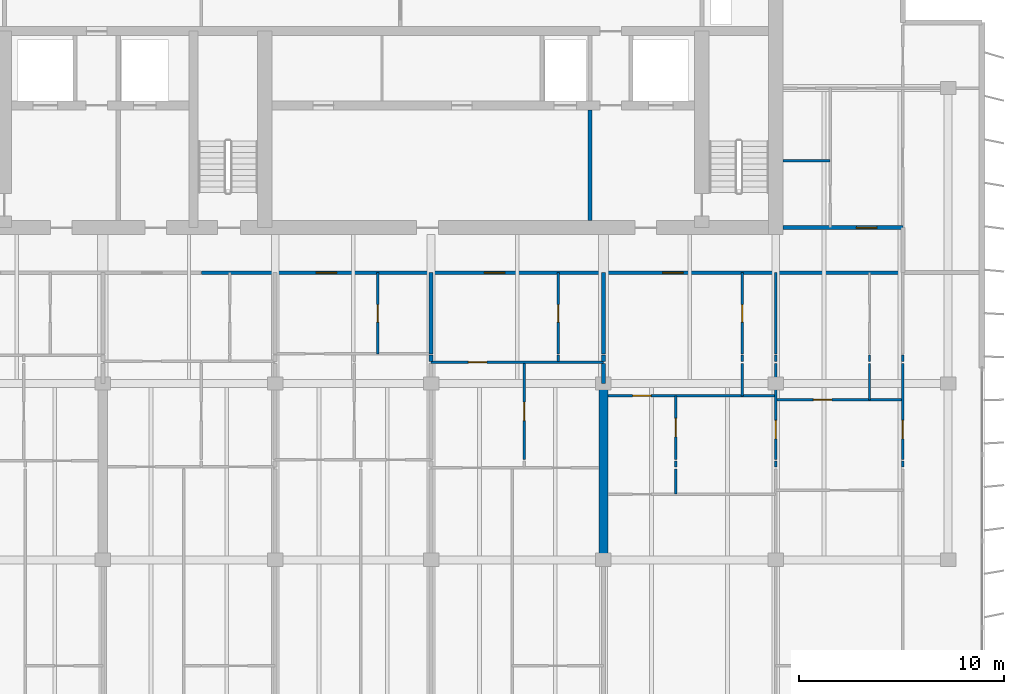
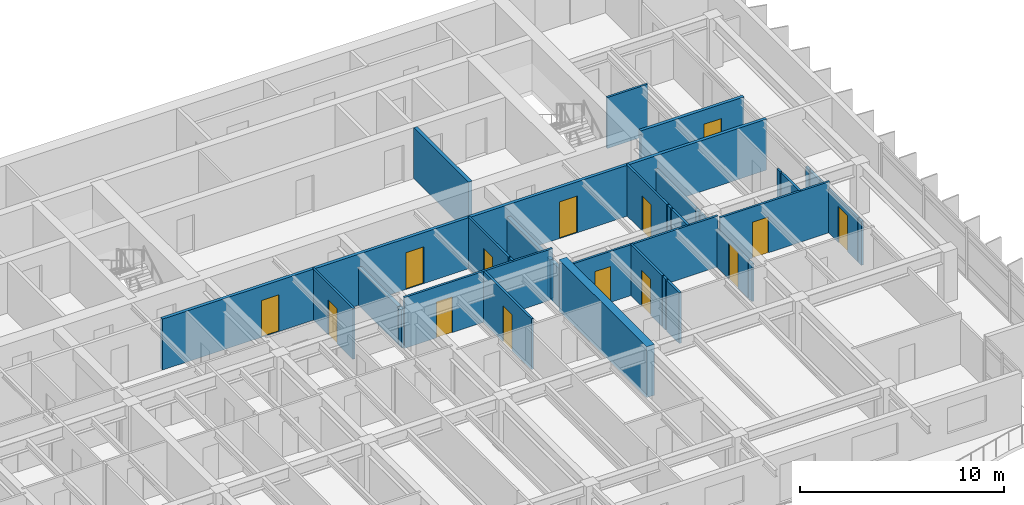
# One storey, part 9 of 17: 32 walls, 14 doors, 14 openings.
"""IFC4 building model written with IfcOpenShell, lengths in metres."""

from ifc_helpers import new_model, si_unit, direction, frame, frame_2d, origin, place, context, subcontext, project, spatial, rectangle, extrude, material, layer, layer_set, type_object, element, fill, save


model = new_model("IFC4")

# Units and contexts
model_context = context("Model", 3, precision=1e-05, world=origin(), true_north=direction((0.0, 1.0)))
body_context = subcontext(model_context, "Body", "Model", "MODEL_VIEW")
ifc_project = project(units=[si_unit("LENGTHUNIT", "METRE"), si_unit("AREAUNIT", "SQUARE_METRE"), si_unit("VOLUMEUNIT", "CUBIC_METRE"), si_unit("PLANEANGLEUNIT", "RADIAN"), si_unit("MASSUNIT", "GRAM", prefix="KILO")], contexts=[model_context])

# Site, building, storey
site_placement = place(None, origin())
site = spatial("IfcSite", under=ifc_project, at=site_placement, CompositionType="ELEMENT")
building_placement = place(site_placement, origin())
building = spatial("IfcBuilding", under=site, at=building_placement, Name="Caelmar Bay Residences", CompositionType="ELEMENT")
storey_placement = place(building_placement, frame((0.0, 0.0, 262.800048828125)))
storey = spatial("IfcBuildingStorey", under=building, at=storey_placement, Name="L74", CompositionType="ELEMENT", Elevation=262.800048828125)

# Wall
ifc_material_1 = material(Name="Concrete f'c 55 MPa (8,000 psi)", Category="concrete")
ifc_layer_1 = layer(ifc_material_1, 0.449951171875)
ifc_layer_set_1 = layer_set([ifc_layer_1], Name="Concrete f'c 55 MPa (8,000 psi)")
wall_type_1 = type_object("IfcWallType", Name="SW-XSLB-450", PredefinedType="SHEAR", material=ifc_layer_set_1)
wall_1_placement = place(storey_placement, frame((51.10009765625, 20.800048828125, 0.0), z_axis=(0.0, 0.0, 1.0), x_axis=(0.0, 1.0, 0.0)))
element("IfcWall", 1, at=wall_1_placement, inside=storey, type_object=wall_type_1, Name="L74 Transverse Cross-Slab Shear Wall E8", PredefinedType="SHEAR", context=body_context, shape_type="SweptSolid", body=[
    extrude(rectangle(XDim=8.599853515625, YDim=0.449951171875, at=frame_2d((4.2998046875, 0.0))), origin(), (0.0, 0.0, 1.0), 3.050048828125),
])

# Wall, openings, doors
ifc_material_2 = material(Name="Double-stud acoustic fire-rated gypsum partition 180 mm")
ifc_layer_2 = layer(ifc_material_2, 0.179931640625)
ifc_layer_set_2 = layer_set([ifc_layer_2], Name="Double-stud acoustic fire-rated gypsum partition 180 mm")
wall_type_2 = type_object("IfcWallType", Name="W-COR-200", PredefinedType="PARTITIONING", material=ifc_layer_set_2)
wall_2_placement = place(storey_placement, frame((31.5, 34.800048828125, 0.0), z_axis=(0.0, 0.0, 1.0), x_axis=(1.0, 0.0, 0.0)))
wall_2 = element("IfcWall", 2, at=wall_2_placement, inside=storey, type_object=wall_type_2, Name="L74 Partition Wall H130", PredefinedType="PARTITIONING", context=body_context, shape_type="SweptSolid", body=[
    extrude(rectangle(XDim=34.199951171875, YDim=0.179931640625, at=frame_2d((17.10009765625, 0.0))), origin(), (0.0, 0.0, 1.0), 3.050048828125),
])
opening_1_placement = place(wall_2_placement, frame((5.599609375, 0.0, 0.0)))
opening_1 = element("IfcOpeningElement", 3, at=opening_1_placement, cuts=wall_2, Name="Opening D-L74-142", PredefinedType="OPENING", context=body_context, shape_type="SweptSolid", body=[
    extrude(rectangle(XDim=1.0, YDim=2.199951171875, at=frame_2d((0.5, 1.10009765625))), frame((0.0, 0.099853515625, 0.0), z_axis=(0.0, -1.0, 0.0), x_axis=(1.0, 0.0, 0.0)), (0.0, 0.0, 1.0), 0.199951171875),
])
opening_2_placement = place(wall_2_placement, frame((13.799072265625, 0.0, 0.0)))
opening_2 = element("IfcOpeningElement", 4, at=opening_2_placement, cuts=wall_2, Name="Opening D-L74-148", PredefinedType="OPENING", context=body_context, shape_type="SweptSolid", body=[
    extrude(rectangle(XDim=1.0, YDim=2.199951171875, at=frame_2d((0.5, 1.10009765625))), frame((0.0, 0.099853515625, 0.0), z_axis=(0.0, -1.0, 0.0), x_axis=(1.0, 0.0, 0.0)), (0.0, 0.0, 1.0), 0.199951171875),
])
opening_3_placement = place(wall_2_placement, frame((22.4833984375, 0.0, 0.0)))
opening_3 = element("IfcOpeningElement", 5, at=opening_3_placement, cuts=wall_2, Name="Opening D-L74-155", PredefinedType="OPENING", context=body_context, shape_type="SweptSolid", body=[
    extrude(rectangle(XDim=1.0, YDim=2.199951171875, at=frame_2d((0.5, 1.10009765625))), frame((0.0, 0.099853515625, 0.0), z_axis=(0.0, -1.0, 0.0), x_axis=(1.0, 0.0, 0.0)), (0.0, 0.0, 1.0), 0.199951171875),
])
ifc_material_3 = material(Name="Fire-rated steel and walnut architectural door assembly", Category="steel")
ifc_layer_3 = layer(ifc_material_3, 0.050048828125)
ifc_layer_set_3 = layer_set([ifc_layer_3], Name="Fire-rated steel and walnut architectural door assembly")
door_type_1 = type_object("IfcDoorType", Name="D-UNIT-1000", OperationType="NOTDEFINED", PredefinedType="DOOR", material=ifc_layer_set_3)
door_1_placement = place(opening_1_placement, origin())
door_1 = element("IfcDoor", 6, at=door_1_placement, inside=storey, type_object=door_type_1, Name="L74 Residence 04 Apartment Hall Door", OperationType="SINGLE_SWING_RIGHT", OverallHeight=2.199951171875, OverallWidth=1.0, PredefinedType="DOOR", context=body_context, shape_type="SweptSolid", body=[
    extrude(rectangle(XDim=1.0, YDim=2.199951171875, at=frame_2d((0.5, 1.10009765625))), frame((0.0, 0.02490234375, 0.0), z_axis=(0.0, -1.0, 0.0), x_axis=(1.0, 0.0, 0.0)), (0.0, 0.0, 1.0), 0.050048828125),
])
fill(opening_1, door_1)
door_2_placement = place(opening_2_placement, origin())
door_2 = element("IfcDoor", 7, at=door_2_placement, inside=storey, type_object=door_type_1, Name="L74 Residence 05 Apartment Hall Door", OperationType="SINGLE_SWING_RIGHT", OverallHeight=2.199951171875, OverallWidth=1.0, PredefinedType="DOOR", context=body_context, shape_type="SweptSolid", body=[
    extrude(rectangle(XDim=1.0, YDim=2.199951171875, at=frame_2d((0.5, 1.10009765625))), frame((0.0, 0.02490234375, 0.0), z_axis=(0.0, -1.0, 0.0), x_axis=(1.0, 0.0, 0.0)), (0.0, 0.0, 1.0), 0.050048828125),
])
fill(opening_2, door_2)
door_3_placement = place(opening_3_placement, origin())
door_3 = element("IfcDoor", 8, at=door_3_placement, inside=storey, type_object=door_type_1, Name="L74 Residence 06 Apartment Hall Door", OperationType="SINGLE_SWING_LEFT", OverallHeight=2.199951171875, OverallWidth=1.0, PredefinedType="DOOR", context=body_context, shape_type="SweptSolid", body=[
    extrude(rectangle(XDim=1.0, YDim=2.199951171875, at=frame_2d((0.5, 1.10009765625))), frame((0.0, 0.02490234375, 0.0), z_axis=(0.0, -1.0, 0.0), x_axis=(1.0, 0.0, 0.0)), (0.0, 0.0, 1.0), 0.050048828125),
])
fill(opening_3, door_3)

# Wall, opening, door
wall_3_placement = place(storey_placement, frame((59.85498046875, 37.0, 0.0), z_axis=(0.0, 0.0, 1.0), x_axis=(1.0, 0.0, 0.0)))
wall_3 = element("IfcWall", 9, at=wall_3_placement, inside=storey, type_object=wall_type_2, Name="L74 Partition Wall H134", PredefinedType="PARTITIONING", context=body_context, shape_type="SweptSolid", body=[
    extrude(rectangle(XDim=5.844970703125, YDim=0.179931640625, at=frame_2d((2.92236328125, 0.0))), origin(), (0.0, 0.0, 1.0), 3.050048828125),
])
opening_4_placement = place(wall_3_placement, frame((3.570068359375, 0.0, 0.0)))
opening_4 = element("IfcOpeningElement", 10, at=opening_4_placement, cuts=wall_3, Name="Opening D-L74-173", PredefinedType="OPENING", context=body_context, shape_type="SweptSolid", body=[
    extrude(rectangle(XDim=1.0, YDim=2.199951171875, at=frame_2d((0.5, 1.10009765625))), frame((0.0, 0.099853515625, 0.0), z_axis=(0.0, -1.0, 0.0), x_axis=(1.0, 0.0, 0.0)), (0.0, 0.0, 1.0), 0.199951171875),
])
door_4_placement = place(opening_4_placement, origin())
door_4 = element("IfcDoor", 11, at=door_4_placement, inside=storey, type_object=door_type_1, Name="L74 Residence EA Kitchen Door", OperationType="SINGLE_SWING_LEFT", OverallHeight=2.199951171875, OverallWidth=1.0, PredefinedType="DOOR", context=body_context, shape_type="SweptSolid", body=[
    extrude(rectangle(XDim=1.0, YDim=2.199951171875, at=frame_2d((0.5, 1.10009765625))), frame((0.0, 0.02490234375, 0.0), z_axis=(0.0, -1.0, 0.0), x_axis=(1.0, 0.0, 0.0)), (0.0, 0.0, 1.0), 0.050048828125),
])
fill(opening_4, door_4)

# Wall
ifc_material_4 = material(Name="Fire-rated masonry and gypsum shaftliner assembly 200 mm", Category="masonry")
ifc_layer_4 = layer(ifc_material_4, 0.199951171875)
ifc_layer_set_4 = layer_set([ifc_layer_4], Name="Fire-rated masonry and gypsum shaftliner assembly 200 mm")
wall_type_3 = type_object("IfcWallType", Name="W-FSAE-200", PredefinedType="PARTITIONING", material=ifc_layer_set_4)
wall_4_placement = place(storey_placement, frame((50.449951171875, 37.344970703125, 0.0), z_axis=(0.0, 0.0, 1.0), x_axis=(0.0, 1.0, 0.0)))
element("IfcWall", 12, at=wall_4_placement, inside=storey, type_object=wall_type_3, Name="L74 Partition Wall V071", PredefinedType="PARTITIONING", context=body_context, shape_type="SweptSolid", body=[
    extrude(rectangle(XDim=5.385009765625, YDim=0.199951171875, at=frame_2d((2.6923828125, 0.0))), origin(), (0.0, 0.0, 1.0), 3.050048828125),
])

# Wall, opening, door
ifc_material_5 = material(Name="Acoustic metal-stud gypsum partition 120 mm")
ifc_layer_5 = layer(ifc_material_5, 0.1201171875)
ifc_layer_set_5 = layer_set([ifc_layer_5], Name="Acoustic metal-stud gypsum partition 120 mm")
wall_type_4 = type_object("IfcWallType", Name="W-PRT-120", PredefinedType="PARTITIONING", material=ifc_layer_set_5)
wall_5_placement = place(storey_placement, frame((40.09912109375, 30.840087890625, 0.0), z_axis=(0.0, 0.0, 1.0), x_axis=(0.0, 1.0, 0.0)))
wall_5 = element("IfcWall", 13, at=wall_5_placement, inside=storey, type_object=wall_type_4, Name="L74 Partition Wall V054", PredefinedType="PARTITIONING", context=body_context, shape_type="SweptSolid", body=[
    extrude(rectangle(XDim=3.9599609375, YDim=0.1201171875, at=frame_2d((1.97998046875, 0.0))), origin(), (0.0, 0.0, 1.0), 3.050048828125),
])
opening_5_placement = place(wall_5_placement, frame((1.554931640625, 0.0, 0.0)))
opening_5 = element("IfcOpeningElement", 14, at=opening_5_placement, cuts=wall_5, Name="Opening D-L74-143", PredefinedType="OPENING", context=body_context, shape_type="SweptSolid", body=[
    extrude(rectangle(XDim=0.85009765625, YDim=2.10009765625, at=frame_2d((0.425048828125, 1.050048828125))), frame((0.0, 0.070068359375, 0.0), z_axis=(0.0, -1.0, 0.0), x_axis=(1.0, 0.0, 0.0)), (0.0, 0.0, 1.0), 0.14013671875),
])
ifc_material_6 = material(Name="Solid walnut timber interior door leaf and frame", Category="wood")
ifc_layer_6 = layer(ifc_material_6, 0.050048828125)
ifc_layer_set_6 = layer_set([ifc_layer_6], Name="Solid walnut timber interior door leaf and frame")
door_type_2 = type_object("IfcDoorType", Name="D-BATH-850", OperationType="NOTDEFINED", PredefinedType="DOOR", material=ifc_layer_set_6)
door_5_placement = place(opening_5_placement, origin())
door_5 = element("IfcDoor", 15, at=door_5_placement, inside=storey, type_object=door_type_2, Name="L74 Residence 04 Bathroom Door", OperationType="SINGLE_SWING_LEFT", OverallHeight=2.10009765625, OverallWidth=0.85009765625, PredefinedType="DOOR", context=body_context, shape_type="SweptSolid", body=[
    extrude(rectangle(XDim=0.85009765625, YDim=2.10009765625, at=frame_2d((0.425048828125, 1.050048828125))), frame((0.0, 0.02490234375, 0.0), z_axis=(0.0, -1.0, 0.0), x_axis=(1.0, 0.0, 0.0)), (0.0, 0.0, 1.0), 0.050048828125),
])
fill(opening_5, door_5)

wall_6_placement = place(storey_placement, frame((47.236083984375, 25.68994140625, 0.0), z_axis=(0.0, 0.0, 1.0), x_axis=(0.0, 1.0, 0.0)))
wall_6 = element("IfcWall", 16, at=wall_6_placement, inside=storey, type_object=wall_type_4, Name="L74 Partition Wall V067", PredefinedType="PARTITIONING", context=body_context, shape_type="SweptSolid", body=[
    extrude(rectangle(XDim=4.68994140625, YDim=0.1201171875, at=frame_2d((2.344970703125, 0.0))), origin(), (0.0, 0.0, 1.0), 3.050048828125),
])
opening_6_placement = place(wall_6_placement, frame((1.89501953125, 0.0, 0.0)))
opening_6 = element("IfcOpeningElement", 17, at=opening_6_placement, cuts=wall_6, Name="Opening D-L74-151", PredefinedType="OPENING", context=body_context, shape_type="SweptSolid", body=[
    extrude(rectangle(XDim=0.89990234375, YDim=2.14990234375, at=frame_2d((0.449951171875, 1.074951171875))), frame((0.0, 0.070068359375, 0.0), z_axis=(0.0, -1.0, 0.0), x_axis=(1.0, 0.0, 0.0)), (0.0, 0.0, 1.0), 0.14013671875),
])
ifc_layer_7 = layer(ifc_material_6, 0.050048828125)
ifc_layer_set_7 = layer_set([ifc_layer_7], Name="Solid walnut timber interior door leaf and frame")
door_type_3 = type_object("IfcDoorType", Name="D-ROOM-900", OperationType="NOTDEFINED", PredefinedType="DOOR", material=ifc_layer_set_7)
door_6_placement = place(opening_6_placement, origin())
door_6 = element("IfcDoor", 18, at=door_6_placement, inside=storey, type_object=door_type_3, Name="L74 Residence 05 Private Reception Salon Door", OperationType="SINGLE_SWING_LEFT", OverallHeight=2.14990234375, OverallWidth=0.89990234375, PredefinedType="DOOR", context=body_context, shape_type="SweptSolid", body=[
    extrude(rectangle(XDim=0.89990234375, YDim=2.14990234375, at=frame_2d((0.449951171875, 1.074951171875))), frame((0.0, 0.02490234375, 0.0), z_axis=(0.0, -1.0, 0.0), x_axis=(1.0, 0.0, 0.0)), (0.0, 0.0, 1.0), 0.050048828125),
])
fill(opening_6, door_6)

# Wall
wall_7_placement = place(storey_placement, frame((48.89794921875, 30.47998046875, 0.0), z_axis=(0.0, 0.0, 1.0), x_axis=(0.0, 1.0, 0.0)))
element("IfcWall", 19, at=wall_7_placement, inside=storey, type_object=wall_type_4, Name="L74 Partition Wall V069", PredefinedType="PARTITIONING", context=body_context, shape_type="SweptSolid", body=[
    extrude(rectangle(XDim=0.300048828125, YDim=0.1201171875, at=frame_2d((0.14990234375, 0.0))), origin(), (0.0, 0.0, 1.0), 3.050048828125),
])

# Wall, opening, door
wall_8_placement = place(storey_placement, frame((48.89794921875, 30.840087890625, 0.0), z_axis=(0.0, 0.0, 1.0), x_axis=(0.0, 1.0, 0.0)))
wall_8 = element("IfcWall", 20, at=wall_8_placement, inside=storey, type_object=wall_type_4, Name="L74 Partition Wall V070", PredefinedType="PARTITIONING", context=body_context, shape_type="SweptSolid", body=[
    extrude(rectangle(XDim=3.9599609375, YDim=0.1201171875, at=frame_2d((1.97998046875, 0.0))), origin(), (0.0, 0.0, 1.0), 3.050048828125),
])
opening_7_placement = place(wall_8_placement, frame((1.554931640625, 0.0, 0.0)))
opening_7 = element("IfcOpeningElement", 21, at=opening_7_placement, cuts=wall_8, Name="Opening D-L74-149", PredefinedType="OPENING", context=body_context, shape_type="SweptSolid", body=[
    extrude(rectangle(XDim=0.85009765625, YDim=2.10009765625, at=frame_2d((0.425048828125, 1.050048828125))), frame((0.0, 0.070068359375, 0.0), z_axis=(0.0, -1.0, 0.0), x_axis=(1.0, 0.0, 0.0)), (0.0, 0.0, 1.0), 0.14013671875),
])
door_7_placement = place(opening_7_placement, origin())
door_7 = element("IfcDoor", 22, at=door_7_placement, inside=storey, type_object=door_type_2, Name="L74 Residence 05 Bathroom Door", OperationType="SINGLE_SWING_LEFT", OverallHeight=2.10009765625, OverallWidth=0.85009765625, PredefinedType="DOOR", context=body_context, shape_type="SweptSolid", body=[
    extrude(rectangle(XDim=0.85009765625, YDim=2.10009765625, at=frame_2d((0.425048828125, 1.050048828125))), frame((0.0, 0.02490234375, 0.0), z_axis=(0.0, -1.0, 0.0), x_axis=(1.0, 0.0, 0.0)), (0.0, 0.0, 1.0), 0.050048828125),
])
fill(opening_7, door_7)

# Walls
wall_9_placement = place(storey_placement, frame((54.6279296875, 24.0, 0.0), z_axis=(0.0, 0.0, 1.0), x_axis=(0.0, 1.0, 0.0)))
element("IfcWall", 23, at=wall_9_placement, inside=storey, type_object=wall_type_4, Name="L74 Partition Wall V080", PredefinedType="PARTITIONING", context=body_context, shape_type="SweptSolid", body=[
    extrude(rectangle(XDim=1.22998046875, YDim=0.1201171875, at=frame_2d((0.614990234375, 0.0))), origin(), (0.0, 0.0, 1.0), 3.050048828125),
])
wall_10_placement = place(storey_placement, frame((54.6279296875, 25.330078125, 0.0), z_axis=(0.0, 0.0, 1.0), x_axis=(0.0, 1.0, 0.0)))
element("IfcWall", 24, at=wall_10_placement, inside=storey, type_object=wall_type_4, Name="L74 Partition Wall V081", PredefinedType="PARTITIONING", context=body_context, shape_type="SweptSolid", body=[
    extrude(rectangle(XDim=0.2998046875, YDim=0.1201171875, at=frame_2d((0.14990234375, 0.0))), origin(), (0.0, 0.0, 1.0), 3.050048828125),
])

# Wall, opening, door
wall_11_placement = place(storey_placement, frame((54.6279296875, 25.68994140625, 0.0), z_axis=(0.0, 0.0, 1.0), x_axis=(0.0, 1.0, 0.0)))
wall_11 = element("IfcWall", 25, at=wall_11_placement, inside=storey, type_object=wall_type_4, Name="L74 Partition Wall V082", PredefinedType="PARTITIONING", context=body_context, shape_type="SweptSolid", body=[
    extrude(rectangle(XDim=3.110107421875, YDim=0.1201171875, at=frame_2d((1.55517578125, 0.0))), origin(), (0.0, 0.0, 1.0), 3.050048828125),
])
opening_8_placement = place(wall_11_placement, frame((1.10498046875, 0.0, 0.0)))
opening_8 = element("IfcOpeningElement", 26, at=opening_8_placement, cuts=wall_11, Name="Opening D-L74-158", PredefinedType="OPENING", context=body_context, shape_type="SweptSolid", body=[
    extrude(rectangle(XDim=0.89990234375, YDim=2.14990234375, at=frame_2d((0.449951171875, 1.074951171875))), frame((0.0, 0.070068359375, 0.0), z_axis=(0.0, -1.0, 0.0), x_axis=(1.0, 0.0, 0.0)), (0.0, 0.0, 1.0), 0.14013671875),
])
door_8_placement = place(opening_8_placement, origin())
door_8 = element("IfcDoor", 27, at=door_8_placement, inside=storey, type_object=door_type_3, Name="L74 Residence 06 Kitchen Door", OperationType="SINGLE_SWING_RIGHT", OverallHeight=2.14990234375, OverallWidth=0.89990234375, PredefinedType="DOOR", context=body_context, shape_type="SweptSolid", body=[
    extrude(rectangle(XDim=0.89990234375, YDim=2.14990234375, at=frame_2d((0.449951171875, 1.074951171875))), frame((0.0, 0.02490234375, 0.0), z_axis=(0.0, -1.0, 0.0), x_axis=(1.0, 0.0, 0.0)), (0.0, 0.0, 1.0), 0.050048828125),
])
fill(opening_8, door_8)

# Walls
wall_12_placement = place(storey_placement, frame((57.866943359375, 28.800048828125, 0.0), z_axis=(0.0, 0.0, 1.0), x_axis=(0.0, 1.0, 0.0)))
element("IfcWall", 28, at=wall_12_placement, inside=storey, type_object=wall_type_4, Name="L74 Partition Wall V084", PredefinedType="PARTITIONING", context=body_context, shape_type="SweptSolid", body=[
    extrude(rectangle(XDim=1.579833984375, YDim=0.1201171875, at=frame_2d((0.7900390625, 0.0))), origin(), (0.0, 0.0, 1.0), 3.050048828125),
])
wall_13_placement = place(storey_placement, frame((57.866943359375, 30.47998046875, 0.0), z_axis=(0.0, 0.0, 1.0), x_axis=(0.0, 1.0, 0.0)))
element("IfcWall", 29, at=wall_13_placement, inside=storey, type_object=wall_type_4, Name="L74 Partition Wall V085", PredefinedType="PARTITIONING", context=body_context, shape_type="SweptSolid", body=[
    extrude(rectangle(XDim=0.300048828125, YDim=0.1201171875, at=frame_2d((0.14990234375, 0.0))), origin(), (0.0, 0.0, 1.0), 3.050048828125),
])

# Wall, opening, door
wall_14_placement = place(storey_placement, frame((57.866943359375, 30.840087890625, 0.0), z_axis=(0.0, 0.0, 1.0), x_axis=(0.0, 1.0, 0.0)))
wall_14 = element("IfcWall", 30, at=wall_14_placement, inside=storey, type_object=wall_type_4, Name="L74 Partition Wall V086", PredefinedType="PARTITIONING", context=body_context, shape_type="SweptSolid", body=[
    extrude(rectangle(XDim=3.9599609375, YDim=0.1201171875, at=frame_2d((1.97998046875, 0.0))), origin(), (0.0, 0.0, 1.0), 3.050048828125),
])
opening_9_placement = place(wall_14_placement, frame((1.554931640625, 0.0, 0.0)))
opening_9 = element("IfcOpeningElement", 31, at=opening_9_placement, cuts=wall_14, Name="Opening D-L74-156", PredefinedType="OPENING", context=body_context, shape_type="SweptSolid", body=[
    extrude(rectangle(XDim=0.85009765625, YDim=2.10009765625, at=frame_2d((0.425048828125, 1.050048828125))), frame((0.0, 0.070068359375, 0.0), z_axis=(0.0, -1.0, 0.0), x_axis=(1.0, 0.0, 0.0)), (0.0, 0.0, 1.0), 0.14013671875),
])
door_9_placement = place(opening_9_placement, origin())
door_9 = element("IfcDoor", 32, at=door_9_placement, inside=storey, type_object=door_type_2, Name="L74 Residence 06 Guest Bathroom Door", OperationType="SINGLE_SWING_RIGHT", OverallHeight=2.10009765625, OverallWidth=0.85009765625, PredefinedType="DOOR", context=body_context, shape_type="SweptSolid", body=[
    extrude(rectangle(XDim=0.85009765625, YDim=2.10009765625, at=frame_2d((0.425048828125, 1.050048828125))), frame((0.0, 0.02490234375, 0.0), z_axis=(0.0, -1.0, 0.0), x_axis=(1.0, 0.0, 0.0)), (0.0, 0.0, 1.0), 0.050048828125),
])
fill(opening_9, door_9)

# Wall
wall_15_placement = place(storey_placement, frame((59.5, 25.330078125, 0.0), z_axis=(0.0, 0.0, 1.0), x_axis=(0.0, 1.0, 0.0)))
element("IfcWall", 33, at=wall_15_placement, inside=storey, type_object=wall_type_4, Name="L74 Partition Wall V089", PredefinedType="PARTITIONING", context=body_context, shape_type="SweptSolid", body=[
    extrude(rectangle(XDim=0.2998046875, YDim=0.1201171875, at=frame_2d((0.14990234375, 0.0))), origin(), (0.0, 0.0, 1.0), 2.262939453125),
])

# Wall, opening, door
wall_16_placement = place(storey_placement, frame((59.5, 25.68994140625, 0.0), z_axis=(0.0, 0.0, 1.0), x_axis=(0.0, 1.0, 0.0)))
wall_16 = element("IfcWall", 34, at=wall_16_placement, inside=storey, type_object=wall_type_4, Name="L74 Partition Wall V090", PredefinedType="PARTITIONING", context=body_context, shape_type="SweptSolid", body=[
    extrude(rectangle(XDim=4.68994140625, YDim=0.1201171875, at=frame_2d((2.344970703125, 0.0))), origin(), (0.0, 0.0, 1.0), 2.262939453125),
])
opening_10_placement = place(wall_16_placement, frame((1.0048828125, 0.0, 0.0)))
opening_10 = element("IfcOpeningElement", 35, at=opening_10_placement, cuts=wall_16, Name="Opening D-L74-160", PredefinedType="OPENING", context=body_context, shape_type="SweptSolid", body=[
    extrude(rectangle(XDim=0.89990234375, YDim=2.14990234375, at=frame_2d((0.449951171875, 1.074951171875))), frame((0.0, 0.070068359375, 0.0), z_axis=(0.0, -1.0, 0.0), x_axis=(1.0, 0.0, 0.0)), (0.0, 0.0, 1.0), 0.14013671875),
])
door_10_placement = place(opening_10_placement, origin())
door_10 = element("IfcDoor", 36, at=door_10_placement, inside=storey, type_object=door_type_3, Name="L74 Residence 06 Reception Lounge 1 Door", OperationType="SINGLE_SWING_RIGHT", OverallHeight=2.14990234375, OverallWidth=0.89990234375, PredefinedType="DOOR", context=body_context, shape_type="SweptSolid", body=[
    extrude(rectangle(XDim=0.89990234375, YDim=2.14990234375, at=frame_2d((0.449951171875, 1.074951171875))), frame((0.0, 0.02490234375, 0.0), z_axis=(0.0, -1.0, 0.0), x_axis=(1.0, 0.0, 0.0)), (0.0, 0.0, 1.0), 0.050048828125),
])
fill(opening_10, door_10)

# Walls
wall_17_placement = place(storey_placement, frame((59.5, 30.47998046875, 0.0), z_axis=(0.0, 0.0, 1.0), x_axis=(0.0, 1.0, 0.0)))
element("IfcWall", 37, at=wall_17_placement, inside=storey, type_object=wall_type_4, Name="L74 Partition Wall V091", PredefinedType="PARTITIONING", context=body_context, shape_type="SweptSolid", body=[
    extrude(rectangle(XDim=0.300048828125, YDim=0.1201171875, at=frame_2d((0.14990234375, 0.0))), origin(), (0.0, 0.0, 1.0), 2.262939453125),
])
wall_18_placement = place(storey_placement, frame((59.5, 30.840087890625, 0.0), z_axis=(0.0, 0.0, 1.0), x_axis=(0.0, 1.0, 0.0)))
element("IfcWall", 38, at=wall_18_placement, inside=storey, type_object=wall_type_4, Name="L74 Partition Wall V092", PredefinedType="PARTITIONING", context=body_context, shape_type="SweptSolid", body=[
    extrude(rectangle(XDim=3.9599609375, YDim=0.1201171875, at=frame_2d((1.97998046875, 0.0))), origin(), (0.0, 0.0, 1.0), 2.262939453125),
])
wall_19_placement = place(storey_placement, frame((64.071044921875, 28.60009765625, 0.0), z_axis=(0.0, 0.0, 1.0), x_axis=(0.0, 1.0, 0.0)))
element("IfcWall", 39, at=wall_19_placement, inside=storey, type_object=wall_type_4, Name="L74 Partition Wall V094", PredefinedType="PARTITIONING", context=body_context, shape_type="SweptSolid", body=[
    extrude(rectangle(XDim=1.77978515625, YDim=0.1201171875, at=frame_2d((0.889892578125, 0.0))), origin(), (0.0, 0.0, 1.0), 3.050048828125),
])
wall_20_placement = place(storey_placement, frame((64.071044921875, 30.47998046875, 0.0), z_axis=(0.0, 0.0, 1.0), x_axis=(0.0, 1.0, 0.0)))
element("IfcWall", 40, at=wall_20_placement, inside=storey, type_object=wall_type_4, Name="L74 Partition Wall V095", PredefinedType="PARTITIONING", context=body_context, shape_type="SweptSolid", body=[
    extrude(rectangle(XDim=0.300048828125, YDim=0.1201171875, at=frame_2d((0.14990234375, 0.0))), origin(), (0.0, 0.0, 1.0), 3.050048828125),
])
wall_21_placement = place(storey_placement, frame((65.699951171875, 25.330078125, 0.0), z_axis=(0.0, 0.0, 1.0), x_axis=(0.0, 1.0, 0.0)))
element("IfcWall", 41, at=wall_21_placement, inside=storey, type_object=wall_type_4, Name="L74 Partition Wall V098", PredefinedType="PARTITIONING", context=body_context, shape_type="SweptSolid", body=[
    extrude(rectangle(XDim=0.2998046875, YDim=0.1201171875, at=frame_2d((0.14990234375, 0.0))), origin(), (0.0, 0.0, 1.0), 2.62890625),
])

# Wall, opening, door
wall_22_placement = place(storey_placement, frame((65.699951171875, 25.68994140625, 0.0), z_axis=(0.0, 0.0, 1.0), x_axis=(0.0, 1.0, 0.0)))
wall_22 = element("IfcWall", 42, at=wall_22_placement, inside=storey, type_object=wall_type_4, Name="L74 Partition Wall V099", PredefinedType="PARTITIONING", context=body_context, shape_type="SweptSolid", body=[
    extrude(rectangle(XDim=4.68994140625, YDim=0.1201171875, at=frame_2d((2.344970703125, 0.0))), origin(), (0.0, 0.0, 1.0), 2.62890625),
])
opening_11_placement = place(wall_22_placement, frame((1.0048828125, 0.0, 0.0)))
opening_11 = element("IfcOpeningElement", 43, at=opening_11_placement, cuts=wall_22, Name="Opening D-L74-166", PredefinedType="OPENING", context=body_context, shape_type="SweptSolid", body=[
    extrude(rectangle(XDim=0.89990234375, YDim=2.14990234375, at=frame_2d((0.449951171875, 1.074951171875))), frame((0.0, 0.070068359375, 0.0), z_axis=(0.0, -1.0, 0.0), x_axis=(1.0, 0.0, 0.0)), (0.0, 0.0, 1.0), 0.14013671875),
])
door_11_placement = place(opening_11_placement, origin())
door_11 = element("IfcDoor", 44, at=door_11_placement, inside=storey, type_object=door_type_3, Name="L74 Residence 06 Penthouse East Salon Door", OperationType="SINGLE_SWING_RIGHT", OverallHeight=2.14990234375, OverallWidth=0.89990234375, PredefinedType="DOOR", context=body_context, shape_type="SweptSolid", body=[
    extrude(rectangle(XDim=0.89990234375, YDim=2.14990234375, at=frame_2d((0.449951171875, 1.074951171875))), frame((0.0, 0.02490234375, 0.0), z_axis=(0.0, -1.0, 0.0), x_axis=(1.0, 0.0, 0.0)), (0.0, 0.0, 1.0), 0.050048828125),
])
fill(opening_11, door_11)

# Wall
wall_23_placement = place(storey_placement, frame((65.699951171875, 30.47998046875, 0.0), z_axis=(0.0, 0.0, 1.0), x_axis=(0.0, 1.0, 0.0)))
element("IfcWall", 45, at=wall_23_placement, inside=storey, type_object=wall_type_4, Name="L74 Partition Wall V100", PredefinedType="PARTITIONING", context=body_context, shape_type="SweptSolid", body=[
    extrude(rectangle(XDim=0.300048828125, YDim=0.1201171875, at=frame_2d((0.14990234375, 0.0))), origin(), (0.0, 0.0, 1.0), 2.62890625),
])

# Wall, opening, door
wall_24_placement = place(storey_placement, frame((59.5, 28.60009765625, 0.0), z_axis=(0.0, 0.0, 1.0), x_axis=(1.0, 0.0, 0.0)))
wall_24 = element("IfcWall", 46, at=wall_24_placement, inside=storey, type_object=wall_type_4, Name="L74 Partition Wall H118", PredefinedType="PARTITIONING", context=body_context, shape_type="SweptSolid", body=[
    extrude(rectangle(XDim=6.199951171875, YDim=0.1201171875, at=frame_2d((3.10009765625, 0.0))), origin(), (0.0, 0.0, 1.0), 3.050048828125),
])
opening_12_placement = place(wall_24_placement, frame((1.83544921875, 0.0, 0.0)))
opening_12 = element("IfcOpeningElement", 47, at=opening_12_placement, cuts=wall_24, Name="Opening D-L74-161", PredefinedType="OPENING", context=body_context, shape_type="SweptSolid", body=[
    extrude(rectangle(XDim=0.89990234375, YDim=2.14990234375, at=frame_2d((0.449951171875, 1.074951171875))), frame((0.0, 0.070068359375, 0.0), z_axis=(0.0, -1.0, 0.0), x_axis=(1.0, 0.0, 0.0)), (0.0, 0.0, 1.0), 0.14013671875),
])
door_12_placement = place(opening_12_placement, origin())
door_12 = element("IfcDoor", 48, at=door_12_placement, inside=storey, type_object=door_type_3, Name="L74 Residence 06 Private Reception Room 1 Door", OperationType="SINGLE_SWING_LEFT", OverallHeight=2.14990234375, OverallWidth=0.89990234375, PredefinedType="DOOR", context=body_context, shape_type="SweptSolid", body=[
    extrude(rectangle(XDim=0.89990234375, YDim=2.14990234375, at=frame_2d((0.449951171875, 1.074951171875))), frame((0.0, 0.02490234375, 0.0), z_axis=(0.0, -1.0, 0.0), x_axis=(1.0, 0.0, 0.0)), (0.0, 0.0, 1.0), 0.050048828125),
])
fill(opening_12, door_12)

wall_25_placement = place(storey_placement, frame((51.320068359375, 28.800048828125, 0.0), z_axis=(0.0, 0.0, 1.0), x_axis=(1.0, 0.0, 0.0)))
wall_25 = element("IfcWall", 49, at=wall_25_placement, inside=storey, type_object=wall_type_4, Name="L74 Partition Wall H119", PredefinedType="PARTITIONING", context=body_context, shape_type="SweptSolid", body=[
    extrude(rectangle(XDim=8.175048828125, YDim=0.1201171875, at=frame_2d((4.08740234375, 0.0))), origin(), (0.0, 0.0, 1.0), 3.050048828125),
])
opening_13_placement = place(wall_25_placement, frame((1.2041015625, 0.0, 0.0)))
opening_13 = element("IfcOpeningElement", 50, at=opening_13_placement, cuts=wall_25, Name="Opening D-L74-157", PredefinedType="OPENING", context=body_context, shape_type="SweptSolid", body=[
    extrude(rectangle(XDim=0.89990234375, YDim=2.14990234375, at=frame_2d((0.449951171875, 1.074951171875))), frame((0.0, 0.070068359375, 0.0), z_axis=(0.0, -1.0, 0.0), x_axis=(1.0, 0.0, 0.0)), (0.0, 0.0, 1.0), 0.14013671875),
])
door_13_placement = place(opening_13_placement, origin())
door_13 = element("IfcDoor", 51, at=door_13_placement, inside=storey, type_object=door_type_3, Name="L74 Residence 06 Dining Room Door", OperationType="SINGLE_SWING_LEFT", OverallHeight=2.14990234375, OverallWidth=0.89990234375, PredefinedType="DOOR", context=body_context, shape_type="SweptSolid", body=[
    extrude(rectangle(XDim=0.89990234375, YDim=2.14990234375, at=frame_2d((0.449951171875, 1.074951171875))), frame((0.0, 0.02490234375, 0.0), z_axis=(0.0, -1.0, 0.0), x_axis=(1.0, 0.0, 0.0)), (0.0, 0.0, 1.0), 0.050048828125),
])
fill(opening_13, door_13)

wall_26_placement = place(storey_placement, frame((42.699951171875, 30.43994140625, 0.0), z_axis=(0.0, 0.0, 1.0), x_axis=(1.0, 0.0, 0.0)))
wall_26 = element("IfcWall", 52, at=wall_26_placement, inside=storey, type_object=wall_type_4, Name="L74 Partition Wall H122", PredefinedType="PARTITIONING", context=body_context, shape_type="SweptSolid", body=[
    extrude(rectangle(XDim=8.400146484375, YDim=0.1201171875, at=frame_2d((4.2001953125, 0.0))), origin(), (0.0, 0.0, 1.0), 3.050048828125),
])
opening_14_placement = place(wall_26_placement, frame((1.818115234375, 0.0, 0.0)))
opening_14 = element("IfcOpeningElement", 53, at=opening_14_placement, cuts=wall_26, Name="Opening D-L74-150", PredefinedType="OPENING", context=body_context, shape_type="SweptSolid", body=[
    extrude(rectangle(XDim=0.89990234375, YDim=2.14990234375, at=frame_2d((0.449951171875, 1.074951171875))), frame((0.0, 0.070068359375, 0.0), z_axis=(0.0, -1.0, 0.0), x_axis=(1.0, 0.0, 0.0)), (0.0, 0.0, 1.0), 0.14013671875),
])
door_14_placement = place(opening_14_placement, origin())
door_14 = element("IfcDoor", 54, at=door_14_placement, inside=storey, type_object=door_type_3, Name="L74 Residence 05 Kitchen Door", OperationType="SINGLE_SWING_RIGHT", OverallHeight=2.14990234375, OverallWidth=0.89990234375, PredefinedType="DOOR", context=body_context, shape_type="SweptSolid", body=[
    extrude(rectangle(XDim=0.89990234375, YDim=2.14990234375, at=frame_2d((0.449951171875, 1.074951171875))), frame((0.0, 0.02490234375, 0.0), z_axis=(0.0, -1.0, 0.0), x_axis=(1.0, 0.0, 0.0)), (0.0, 0.0, 1.0), 0.050048828125),
])
fill(opening_14, door_14)

# Walls
wall_27_placement = place(storey_placement, frame((59.844970703125, 40.263916015625, 0.0), z_axis=(0.0, 0.0, 1.0), x_axis=(1.0, 0.0, 0.0)))
element("IfcWall", 55, at=wall_27_placement, inside=storey, type_object=wall_type_4, Name="L74 Partition Wall H136", PredefinedType="PARTITIONING", context=body_context, shape_type="SweptSolid", body=[
    extrude(rectangle(XDim=2.304931640625, YDim=0.1201171875, at=frame_2d((1.15234375, 0.0))), origin(), (0.0, 0.0, 1.0), 3.050048828125),
])
ifc_material_7 = material(Name="Acoustic twin-stud fire-rated inter-tenancy partition 200 mm")
ifc_layer_8 = layer(ifc_material_7, 0.199951171875)
ifc_layer_set_8 = layer_set([ifc_layer_8], Name="Acoustic twin-stud fire-rated inter-tenancy partition 200 mm")
wall_type_5 = type_object("IfcWallType", Name="W-PTY-200", PredefinedType="PARTITIONING", material=ifc_layer_set_8)
wall_28_placement = place(storey_placement, frame((42.699951171875, 30.47998046875, 0.0), z_axis=(0.0, 0.0, 1.0), x_axis=(0.0, 1.0, 0.0)))
element("IfcWall", 56, at=wall_28_placement, inside=storey, type_object=wall_type_5, Name="L74 Partition Wall V061", PredefinedType="PARTITIONING", context=body_context, shape_type="SweptSolid", body=[
    extrude(rectangle(XDim=0.300048828125, YDim=0.199951171875, at=frame_2d((0.14990234375, 0.0))), origin(), (0.0, 0.0, 1.0), 2.262939453125),
])
wall_29_placement = place(storey_placement, frame((42.699951171875, 30.840087890625, 0.0), z_axis=(0.0, 0.0, 1.0), x_axis=(0.0, 1.0, 0.0)))
element("IfcWall", 57, at=wall_29_placement, inside=storey, type_object=wall_type_5, Name="L74 Partition Wall V062", PredefinedType="PARTITIONING", context=body_context, shape_type="SweptSolid", body=[
    extrude(rectangle(XDim=3.9599609375, YDim=0.199951171875, at=frame_2d((1.97998046875, 0.0))), origin(), (0.0, 0.0, 1.0), 2.262939453125),
])
wall_30_placement = place(storey_placement, frame((51.10009765625, 29.405029296875, 0.0), z_axis=(0.0, 0.0, 1.0), x_axis=(0.0, 1.0, 0.0)))
element("IfcWall", 58, at=wall_30_placement, inside=storey, type_object=wall_type_5, Name="L74 Partition Wall V076", PredefinedType="PARTITIONING", context=body_context, shape_type="SweptSolid", body=[
    extrude(rectangle(XDim=0.974853515625, YDim=0.199951171875, at=frame_2d((0.4873046875, 0.0))), origin(), (0.0, 0.0, 1.0), 2.3349609375),
])
wall_31_placement = place(storey_placement, frame((51.10009765625, 30.47998046875, 0.0), z_axis=(0.0, 0.0, 1.0), x_axis=(0.0, 1.0, 0.0)))
element("IfcWall", 59, at=wall_31_placement, inside=storey, type_object=wall_type_5, Name="L74 Partition Wall V077", PredefinedType="PARTITIONING", context=body_context, shape_type="SweptSolid", body=[
    extrude(rectangle(XDim=0.300048828125, YDim=0.199951171875, at=frame_2d((0.14990234375, 0.0))), origin(), (0.0, 0.0, 1.0), 2.3349609375),
])
wall_32_placement = place(storey_placement, frame((51.10009765625, 30.840087890625, 0.0), z_axis=(0.0, 0.0, 1.0), x_axis=(0.0, 1.0, 0.0)))
element("IfcWall", 60, at=wall_32_placement, inside=storey, type_object=wall_type_5, Name="L74 Partition Wall V078", PredefinedType="PARTITIONING", context=body_context, shape_type="SweptSolid", body=[
    extrude(rectangle(XDim=3.9599609375, YDim=0.199951171875, at=frame_2d((1.97998046875, 0.0))), origin(), (0.0, 0.0, 1.0), 2.3349609375),
])

save(model, "model.ifc")
